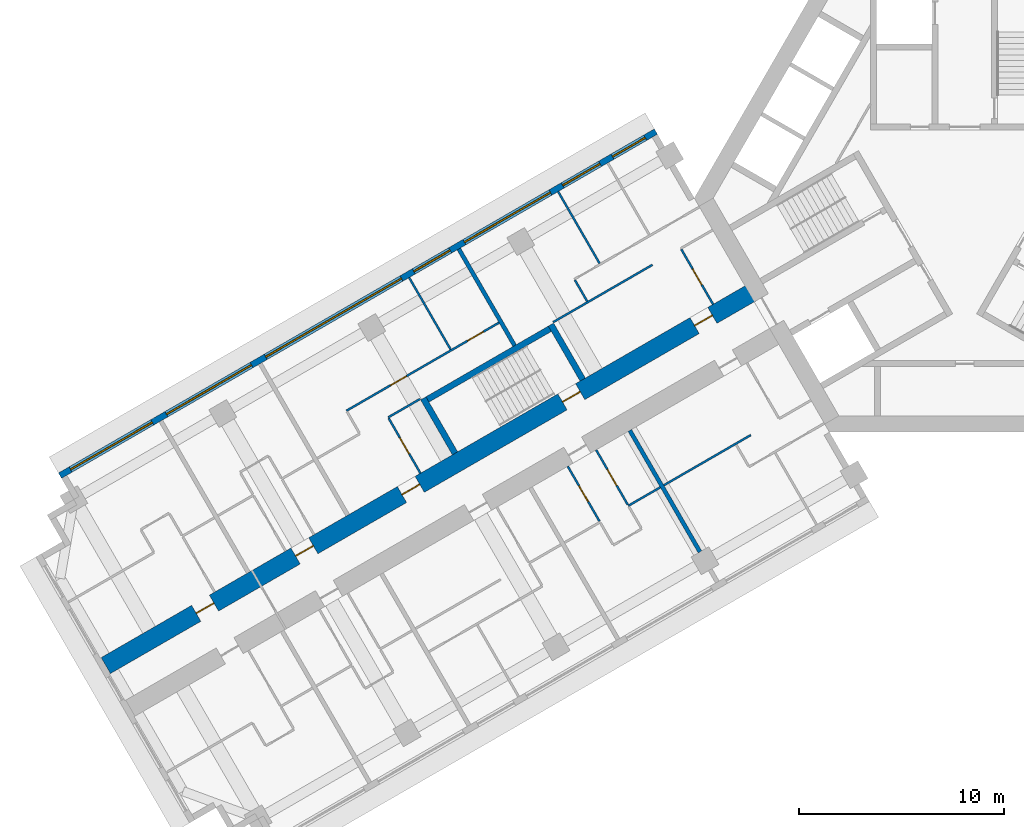
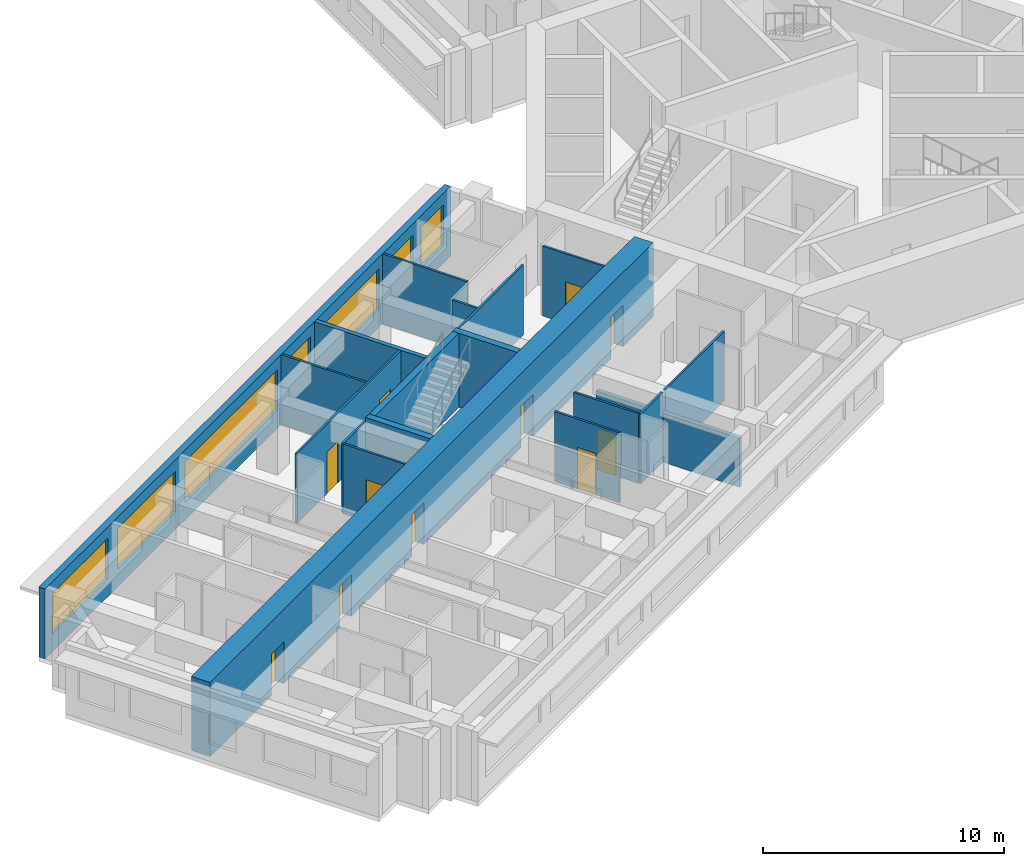
# One storey, part 5 of 15: 19 walls, 11 doors, 7 windows, 18 openings.
"""IFC4 building model written with IfcOpenShell, lengths in metres."""

from ifc_helpers import new_model, si_unit, direction, frame, frame_2d, origin, place, context, subcontext, project, spatial, rectangle, extrude, material, layer, layer_set, type_object, element, fill, save


model = new_model("IFC4")

# Units and contexts
model_context = context("Model", 3, precision=1e-05, world=origin(), true_north=direction((0.0, 1.0)))
body_context = subcontext(model_context, "Body", "Model", "MODEL_VIEW")
ifc_project = project(units=[si_unit("LENGTHUNIT", "METRE"), si_unit("AREAUNIT", "SQUARE_METRE"), si_unit("VOLUMEUNIT", "CUBIC_METRE"), si_unit("PLANEANGLEUNIT", "RADIAN"), si_unit("MASSUNIT", "GRAM", prefix="KILO")], contexts=[model_context])

# Site, building, storey
site_placement = place(None, origin())
site = spatial("IfcSite", under=ifc_project, at=site_placement, CompositionType="ELEMENT")
building_placement = place(site_placement, origin())
building = spatial("IfcBuilding", under=site, at=building_placement, Name="Impinga Residences", CompositionType="ELEMENT")
storey_placement = place(building_placement, frame((0.0, 0.0, 109.75)))
storey = spatial("IfcBuildingStorey", under=building, at=storey_placement, Name="L26", CompositionType="ELEMENT", Elevation=109.75)

# Wall, openings, doors
ifc_material_1 = material(Name="Concrete C60/75", Category="concrete")
ifc_layer_1 = layer(ifc_material_1, 0.89990234375)
ifc_layer_set_1 = layer_set([ifc_layer_1], Name="Concrete C60/75")
wall_type_1 = type_object("IfcWallType", Name="BW2 corridor buttress wall, L24 to L44 900", PredefinedType="SHEAR", material=ifc_layer_set_1)
wall_1_placement = place(storey_placement, frame((-10.153564453125, -4.4765625, 0.0), z_axis=(0.0, 0.0, 1.0), x_axis=(-0.866027614434, -0.499996171023, 0.0)))
wall_1 = element("IfcWall", 1, at=wall_1_placement, inside=storey, type_object=wall_type_1, Name="Corridor wall BW2 WD L26", PredefinedType="SHEAR", context=body_context, shape_type="SweptSolid", body=[
    extrude(rectangle(XDim=36.699951171875, YDim=0.89990234375, at=frame_2d((18.35009765625, 0.0))), origin(), (0.0, 0.0, 1.0), 3.75),
])
opening_1_placement = place(wall_1_placement, frame((9.949951171875, 0.0, 0.0)))
opening_1 = element("IfcOpeningElement", 2, at=opening_1_placement, cuts=wall_1, Name="Opening D5", PredefinedType="OPENING", context=body_context, shape_type="SweptSolid", body=[
    extrude(rectangle(XDim=1.0, YDim=2.10009765625, at=frame_2d((0.5, 1.050048828125))), frame((0.0, 0.4599609375, 0.0), z_axis=(0.0, -1.0, 0.0), x_axis=(1.0, 0.0, 0.0)), (0.0, 0.0, 1.0), 0.919921875),
])
opening_2_placement = place(wall_1_placement, frame((2.5, 0.0, 0.0)))
opening_2 = element("IfcOpeningElement", 3, at=opening_2_placement, cuts=wall_1, Name="Opening D1", PredefinedType="OPENING", context=body_context, shape_type="SweptSolid", body=[
    extrude(rectangle(XDim=1.0, YDim=2.10009765625, at=frame_2d((0.5, 1.050048828125))), frame((0.0, 0.4599609375, 0.0), z_axis=(0.0, -1.0, 0.0), x_axis=(1.0, 0.0, 0.0)), (0.0, 0.0, 1.0), 0.919921875),
])
opening_3_placement = place(wall_1_placement, frame((19.0, 0.0, 0.0)))
opening_3 = element("IfcOpeningElement", 4, at=opening_3_placement, cuts=wall_1, Name="Opening D1", PredefinedType="OPENING", context=body_context, shape_type="SweptSolid", body=[
    extrude(rectangle(XDim=1.0, YDim=2.10009765625, at=frame_2d((0.5, 1.050048828125))), frame((0.0, 0.4599609375, 0.0), z_axis=(0.0, -1.0, 0.0), x_axis=(1.0, 0.0, 0.0)), (0.0, 0.0, 1.0), 0.919921875),
])
opening_4_placement = place(wall_1_placement, frame((25.0, 0.0, 0.0)))
opening_4 = element("IfcOpeningElement", 5, at=opening_4_placement, cuts=wall_1, Name="Opening D1", PredefinedType="OPENING", context=body_context, shape_type="SweptSolid", body=[
    extrude(rectangle(XDim=1.0, YDim=2.10009765625, at=frame_2d((0.5, 1.050048828125))), frame((0.0, 0.4599609375, 0.0), z_axis=(0.0, -1.0, 0.0), x_axis=(1.0, 0.0, 0.0)), (0.0, 0.0, 1.0), 0.919921875),
])
opening_5_placement = place(wall_1_placement, frame((30.60009765625, 0.0, 0.0)))
opening_5 = element("IfcOpeningElement", 6, at=opening_5_placement, cuts=wall_1, Name="Opening D1", PredefinedType="OPENING", context=body_context, shape_type="SweptSolid", body=[
    extrude(rectangle(XDim=1.0, YDim=2.10009765625, at=frame_2d((0.5, 1.050048828125))), frame((0.0, 0.4599609375, 0.0), z_axis=(0.0, -1.0, 0.0), x_axis=(1.0, 0.0, 0.0)), (0.0, 0.0, 1.0), 0.919921875),
])
ifc_material_2 = material(Name="Timber door set", Category="wood")
door_type_1 = type_object("IfcDoorType", Name="D1 apartment entrance door 1000x2100", OperationType="SINGLE_SWING_LEFT", PredefinedType="DOOR", material=ifc_material_2)
door_1_placement = place(opening_2_placement, origin())
door_1 = element("IfcDoor", 7, at=door_1_placement, inside=storey, type_object=door_type_1, Name="Apartment L26-WF1 entrance", OperationType="SINGLE_SWING_LEFT", OverallHeight=2.10009765625, OverallWidth=1.0, PredefinedType="DOOR", context=body_context, shape_type="SweptSolid", body=[
    extrude(rectangle(XDim=1.0, YDim=2.10009765625, at=frame_2d((0.5, 1.050048828125))), frame((0.0, 0.02490234375, 0.0), z_axis=(0.0, -1.0, 0.0), x_axis=(1.0, 0.0, 0.0)), (0.0, 0.0, 1.0), 0.050048828125),
])
fill(opening_2, door_1)
door_2_placement = place(opening_3_placement, origin())
door_2 = element("IfcDoor", 8, at=door_2_placement, inside=storey, type_object=door_type_1, Name="Apartment L26-WF2 entrance", OperationType="SINGLE_SWING_RIGHT", OverallHeight=2.10009765625, OverallWidth=1.0, PredefinedType="DOOR", context=body_context, shape_type="SweptSolid", body=[
    extrude(rectangle(XDim=1.0, YDim=2.10009765625, at=frame_2d((0.5, 1.050048828125))), frame((0.0, 0.02490234375, 0.0), z_axis=(0.0, -1.0, 0.0), x_axis=(1.0, 0.0, 0.0)), (0.0, 0.0, 1.0), 0.050048828125),
])
fill(opening_3, door_2)
door_3_placement = place(opening_4_placement, origin())
door_3 = element("IfcDoor", 9, at=door_3_placement, inside=storey, type_object=door_type_1, Name="Apartment L26-WF3 entrance", OperationType="SINGLE_SWING_RIGHT", OverallHeight=2.10009765625, OverallWidth=1.0, PredefinedType="DOOR", context=body_context, shape_type="SweptSolid", body=[
    extrude(rectangle(XDim=1.0, YDim=2.10009765625, at=frame_2d((0.5, 1.050048828125))), frame((0.0, 0.02490234375, 0.0), z_axis=(0.0, -1.0, 0.0), x_axis=(1.0, 0.0, 0.0)), (0.0, 0.0, 1.0), 0.050048828125),
])
fill(opening_4, door_3)
door_4_placement = place(opening_5_placement, origin())
door_4 = element("IfcDoor", 10, at=door_4_placement, inside=storey, type_object=door_type_1, Name="Apartment L26-WF4 entrance", OperationType="SINGLE_SWING_RIGHT", OverallHeight=2.10009765625, OverallWidth=1.0, PredefinedType="DOOR", context=body_context, shape_type="SweptSolid", body=[
    extrude(rectangle(XDim=1.0, YDim=2.10009765625, at=frame_2d((0.5, 1.050048828125))), frame((0.0, 0.02490234375, 0.0), z_axis=(0.0, -1.0, 0.0), x_axis=(1.0, 0.0, 0.0)), (0.0, 0.0, 1.0), 0.050048828125),
])
fill(opening_5, door_4)
door_type_2 = type_object("IfcDoorType", Name="D5 stair door 1000x2100", OperationType="SINGLE_SWING_LEFT", PredefinedType="DOOR", material=ifc_material_2)
door_5_placement = place(opening_1_placement, origin())
door_5 = element("IfcDoor", 11, at=door_5_placement, inside=storey, type_object=door_type_2, Name="Wing stair door W", OperationType="SINGLE_SWING_LEFT", OverallHeight=2.10009765625, OverallWidth=1.0, PredefinedType="DOOR", context=body_context, shape_type="SweptSolid", body=[
    extrude(rectangle(XDim=1.0, YDim=2.10009765625, at=frame_2d((0.5, 1.050048828125))), frame((0.0, 0.02490234375, 0.0), z_axis=(0.0, -1.0, 0.0), x_axis=(1.0, 0.0, 0.0)), (0.0, 0.0, 1.0), 0.050048828125),
])
fill(opening_1, door_5)

# Wall, openings, windows
ifc_material_3 = material(Name="Terracotta rainscreen on blockwork", Category="masonry")
ifc_layer_2 = layer(ifc_material_3, 0.300048828125)
ifc_layer_set_2 = layer_set([ifc_layer_2], Name="EW1 external wall, terracotta rainscreen on blockwork 300")
wall_type_2 = type_object("IfcWallType", Name="EW1 external wall, terracotta rainscreen on blockwork 300", PredefinedType="SOLIDWALL", material=ifc_layer_set_2)
wall_2_placement = place(storey_placement, frame((-44.17333984375, -13.552490234375, 0.0), z_axis=(0.0, 0.0, 1.0), x_axis=(0.866024291668, 0.500001926238, 0.0)))
wall_2 = element("IfcWall", 12, at=wall_2_placement, inside=storey, type_object=wall_type_2, Name="External wall EW1 L26", PredefinedType="SOLIDWALL", context=body_context, shape_type="SweptSolid", body=[
    extrude(rectangle(XDim=33.599853515625, YDim=0.300048828125, at=frame_2d((16.7998046875, 0.0))), origin(), (0.0, 0.0, 1.0), 3.530029296875),
])
opening_6_placement = place(wall_2_placement, frame((0.60009765625, 0.0, 0.89990234375)))
opening_6 = element("IfcOpeningElement", 13, at=opening_6_placement, cuts=wall_2, Name="Opening W3", PredefinedType="OPENING", context=body_context, shape_type="SweptSolid", body=[
    extrude(rectangle(XDim=4.60009765625, YDim=2.050048828125, at=frame_2d((2.300048828125, 1.02490234375))), frame((0.0, 0.159912109375, 0.0), z_axis=(0.0, -1.0, 0.0), x_axis=(1.0, 0.0, 0.0)), (0.0, 0.0, 1.0), 0.320068359375),
])
opening_7_placement = place(wall_2_placement, frame((6.0, 0.0, 0.89990234375)))
opening_7 = element("IfcOpeningElement", 14, at=opening_7_placement, cuts=wall_2, Name="Opening W8", PredefinedType="OPENING", context=body_context, shape_type="SweptSolid", body=[
    extrude(rectangle(XDim=4.800048828125, YDim=2.050048828125, at=frame_2d((2.39990234375, 1.02490234375))), frame((0.0, 0.159912109375, 0.0), z_axis=(0.0, -1.0, 0.0), x_axis=(1.0, 0.0, 0.0)), (0.0, 0.0, 1.0), 0.320068359375),
])
opening_8_placement = place(wall_2_placement, frame((11.60009765625, 0.0, 0.89990234375)))
opening_8 = element("IfcOpeningElement", 15, at=opening_8_placement, cuts=wall_2, Name="Opening W13", PredefinedType="OPENING", context=body_context, shape_type="SweptSolid", body=[
    extrude(rectangle(XDim=7.64990234375, YDim=2.050048828125, at=frame_2d((3.824951171875, 1.02490234375))), frame((0.0, 0.159912109375, 0.0), z_axis=(0.0, -1.0, 0.0), x_axis=(1.0, 0.0, 0.0)), (0.0, 0.0, 1.0), 0.320068359375),
])
opening_9_placement = place(wall_2_placement, frame((19.949951171875, 0.0, 0.89990234375)))
opening_9 = element("IfcOpeningElement", 16, at=opening_9_placement, cuts=wall_2, Name="Opening W14", PredefinedType="OPENING", context=body_context, shape_type="SweptSolid", body=[
    extrude(rectangle(XDim=2.050048828125, YDim=2.050048828125, at=frame_2d((1.02490234375, 1.02490234375))), frame((0.0, 0.159912109375, 0.0), z_axis=(0.0, -1.0, 0.0), x_axis=(1.0, 0.0, 0.0)), (0.0, 0.0, 1.0), 0.320068359375),
])
opening_10_placement = place(wall_2_placement, frame((22.800048828125, 0.0, 0.89990234375)))
opening_10 = element("IfcOpeningElement", 17, at=opening_10_placement, cuts=wall_2, Name="Opening W6", PredefinedType="OPENING", context=body_context, shape_type="SweptSolid", body=[
    extrude(rectangle(XDim=4.85009765625, YDim=2.050048828125, at=frame_2d((2.425048828125, 1.02490234375))), frame((0.0, 0.159912109375, 0.0), z_axis=(0.0, -1.0, 0.0), x_axis=(1.0, 0.0, 0.0)), (0.0, 0.0, 1.0), 0.320068359375),
])
opening_11_placement = place(wall_2_placement, frame((28.35009765625, 0.0, 0.89990234375)))
opening_11 = element("IfcOpeningElement", 18, at=opening_11_placement, cuts=wall_2, Name="Opening W9", PredefinedType="OPENING", context=body_context, shape_type="SweptSolid", body=[
    extrude(rectangle(XDim=2.10009765625, YDim=2.050048828125, at=frame_2d((1.050048828125, 1.02490234375))), frame((0.0, 0.159912109375, 0.0), z_axis=(0.0, -1.0, 0.0), x_axis=(1.0, 0.0, 0.0)), (0.0, 0.0, 1.0), 0.320068359375),
])
opening_12_placement = place(wall_2_placement, frame((31.14990234375, 0.0, 0.89990234375)))
opening_12 = element("IfcOpeningElement", 19, at=opening_12_placement, cuts=wall_2, Name="Opening W15", PredefinedType="OPENING", context=body_context, shape_type="SweptSolid", body=[
    extrude(rectangle(XDim=1.85009765625, YDim=2.050048828125, at=frame_2d((0.925048828125, 1.02490234375))), frame((0.0, 0.159912109375, 0.0), z_axis=(0.0, -1.0, 0.0), x_axis=(1.0, 0.0, 0.0)), (0.0, 0.0, 1.0), 0.320068359375),
])
ifc_material_4 = material(Name="Aluminium window, clear double glazing", Category="aluminium")
window_type_1 = type_object("IfcWindowType", Name="W13 ribbon window 7650x2050", PartitioningType="SINGLE_PANEL", PredefinedType="WINDOW", material=ifc_material_4)
window_1_placement = place(opening_8_placement, origin())
window_1 = element("IfcWindow", 20, at=window_1_placement, inside=storey, type_object=window_type_1, Name="Window L26", OverallHeight=2.050048828125, OverallWidth=7.64990234375, PartitioningType="SINGLE_PANEL", PredefinedType="WINDOW", context=body_context, shape_type="SweptSolid", body=[
    extrude(rectangle(XDim=7.64990234375, YDim=2.050048828125, at=frame_2d((3.824951171875, 1.02490234375))), frame((0.0, 0.030029296875, 0.0), z_axis=(0.0, -1.0, 0.0), x_axis=(1.0, 0.0, 0.0)), (0.0, 0.0, 1.0), 0.06005859375),
])
fill(opening_8, window_1)
window_type_2 = type_object("IfcWindowType", Name="W14 ribbon window 2050x2050", PartitioningType="SINGLE_PANEL", PredefinedType="WINDOW", material=ifc_material_4)
window_2_placement = place(opening_9_placement, origin())
window_2 = element("IfcWindow", 21, at=window_2_placement, inside=storey, type_object=window_type_2, Name="Window L26", OverallHeight=2.050048828125, OverallWidth=2.050048828125, PartitioningType="SINGLE_PANEL", PredefinedType="WINDOW", context=body_context, shape_type="SweptSolid", body=[
    extrude(rectangle(XDim=2.050048828125, YDim=2.050048828125, at=frame_2d((1.02490234375, 1.02490234375))), frame((0.0, 0.030029296875, 0.0), z_axis=(0.0, -1.0, 0.0), x_axis=(1.0, 0.0, 0.0)), (0.0, 0.0, 1.0), 0.06005859375),
])
fill(opening_9, window_2)
window_type_3 = type_object("IfcWindowType", Name="W15 ribbon window 1850x2050", PartitioningType="SINGLE_PANEL", PredefinedType="WINDOW", material=ifc_material_4)
window_3_placement = place(opening_12_placement, origin())
window_3 = element("IfcWindow", 22, at=window_3_placement, inside=storey, type_object=window_type_3, Name="Window L26", OverallHeight=2.050048828125, OverallWidth=1.85009765625, PartitioningType="SINGLE_PANEL", PredefinedType="WINDOW", context=body_context, shape_type="SweptSolid", body=[
    extrude(rectangle(XDim=1.85009765625, YDim=2.050048828125, at=frame_2d((0.925048828125, 1.02490234375))), frame((0.0, 0.030029296875, 0.0), z_axis=(0.0, -1.0, 0.0), x_axis=(1.0, 0.0, 0.0)), (0.0, 0.0, 1.0), 0.06005859375),
])
fill(opening_12, window_3)
window_type_4 = type_object("IfcWindowType", Name="W3 ribbon window 4600x2050", PartitioningType="SINGLE_PANEL", PredefinedType="WINDOW", material=ifc_material_4)
window_4_placement = place(opening_6_placement, origin())
window_4 = element("IfcWindow", 23, at=window_4_placement, inside=storey, type_object=window_type_4, Name="Window L26", OverallHeight=2.050048828125, OverallWidth=4.60009765625, PartitioningType="SINGLE_PANEL", PredefinedType="WINDOW", context=body_context, shape_type="SweptSolid", body=[
    extrude(rectangle(XDim=4.60009765625, YDim=2.050048828125, at=frame_2d((2.300048828125, 1.02490234375))), frame((0.0, 0.030029296875, 0.0), z_axis=(0.0, -1.0, 0.0), x_axis=(1.0, 0.0, 0.0)), (0.0, 0.0, 1.0), 0.06005859375),
])
fill(opening_6, window_4)
window_type_5 = type_object("IfcWindowType", Name="W6 ribbon window 4850x2050", PartitioningType="SINGLE_PANEL", PredefinedType="WINDOW", material=ifc_material_4)
window_5_placement = place(opening_10_placement, origin())
window_5 = element("IfcWindow", 24, at=window_5_placement, inside=storey, type_object=window_type_5, Name="Window L26", OverallHeight=2.050048828125, OverallWidth=4.85009765625, PartitioningType="SINGLE_PANEL", PredefinedType="WINDOW", context=body_context, shape_type="SweptSolid", body=[
    extrude(rectangle(XDim=4.85009765625, YDim=2.050048828125, at=frame_2d((2.425048828125, 1.02490234375))), frame((0.0, 0.030029296875, 0.0), z_axis=(0.0, -1.0, 0.0), x_axis=(1.0, 0.0, 0.0)), (0.0, 0.0, 1.0), 0.06005859375),
])
fill(opening_10, window_5)
window_type_6 = type_object("IfcWindowType", Name="W8 ribbon window 4800x2050", PartitioningType="SINGLE_PANEL", PredefinedType="WINDOW", material=ifc_material_4)
window_6_placement = place(opening_7_placement, origin())
window_6 = element("IfcWindow", 25, at=window_6_placement, inside=storey, type_object=window_type_6, Name="Window L26", OverallHeight=2.050048828125, OverallWidth=4.800048828125, PartitioningType="SINGLE_PANEL", PredefinedType="WINDOW", context=body_context, shape_type="SweptSolid", body=[
    extrude(rectangle(XDim=4.800048828125, YDim=2.050048828125, at=frame_2d((2.39990234375, 1.02490234375))), frame((0.0, 0.030029296875, 0.0), z_axis=(0.0, -1.0, 0.0), x_axis=(1.0, 0.0, 0.0)), (0.0, 0.0, 1.0), 0.06005859375),
])
fill(opening_7, window_6)
window_type_7 = type_object("IfcWindowType", Name="W9 ribbon window 2100x2050", PartitioningType="SINGLE_PANEL", PredefinedType="WINDOW", material=ifc_material_4)
window_7_placement = place(opening_11_placement, origin())
window_7 = element("IfcWindow", 26, at=window_7_placement, inside=storey, type_object=window_type_7, Name="Window L26", OverallHeight=2.050048828125, OverallWidth=2.10009765625, PartitioningType="SINGLE_PANEL", PredefinedType="WINDOW", context=body_context, shape_type="SweptSolid", body=[
    extrude(rectangle(XDim=2.10009765625, YDim=2.050048828125, at=frame_2d((1.050048828125, 1.02490234375))), frame((0.0, 0.030029296875, 0.0), z_axis=(0.0, -1.0, 0.0), x_axis=(1.0, 0.0, 0.0)), (0.0, 0.0, 1.0), 0.06005859375),
])
fill(opening_11, window_7)

# Walls
ifc_material_5 = material(Name="Gypsum board on steel studs", Category="steel")
ifc_layer_3 = layer(ifc_material_5, 0.10009765625)
ifc_layer_set_3 = layer_set([ifc_layer_3], Name="Gypsum board on steel studs")
wall_type_3 = type_object("IfcWallType", Name="IP1 partition 100", PredefinedType="PARTITIONING", material=ifc_layer_set_3)
wall_3_placement = place(storey_placement, frame((-10.444580078125, -11.57275390625, 0.0), z_axis=(0.0, 0.0, 1.0), x_axis=(-0.866023786258, -0.500002801628, 0.0)))
element("IfcWall", 27, at=wall_3_placement, inside=storey, type_object=wall_type_3, Name="Partition L26-WA1:DIV1", PredefinedType="PARTITIONING", context=body_context, shape_type="SweptSolid", body=[
    extrude(rectangle(XDim=4.89990234375, YDim=0.10009765625, at=frame_2d((2.449951171875, 0.0))), origin(), (0.0, 0.0, 1.0), 3.530029296875),
])
wall_4_placement = place(storey_placement, frame((-14.861328125, -14.122802734375, 0.0), z_axis=(0.0, 0.0, 1.0), x_axis=(-0.866047807691, -0.499961193289, 0.0)))
element("IfcWall", 28, at=wall_4_placement, inside=storey, type_object=wall_type_3, Name="Partition L26-WA2:DIV0", PredefinedType="PARTITIONING", context=body_context, shape_type="SweptSolid", body=[
    extrude(rectangle(XDim=1.800048828125, YDim=0.10009765625, at=frame_2d((0.89990234375, 0.0))), origin(), (0.0, 0.0, 1.0), 3.530029296875),
])

# Wall, opening, door
wall_5_placement = place(storey_placement, frame((-17.9951171875, -12.294677734375, 0.0), z_axis=(0.0, 0.0, 1.0), x_axis=(0.49999285859, -0.86602952684, 0.0)))
wall_5 = element("IfcWall", 29, at=wall_5_placement, inside=storey, type_object=wall_type_3, Name="Partition L26-WA2:IB1", PredefinedType="PARTITIONING", context=body_context, shape_type="SweptSolid", body=[
    extrude(rectangle(XDim=3.10009765625, YDim=0.10009765625, at=frame_2d((1.550048828125, 0.0))), origin(), (0.0, 0.0, 1.0), 3.530029296875),
])
opening_13_placement = place(wall_5_placement, frame((1.10009765625, 0.0, 0.0)))
opening_13 = element("IfcOpeningElement", 30, at=opening_13_placement, cuts=wall_5, Name="Opening D2", PredefinedType="OPENING", context=body_context, shape_type="SweptSolid", body=[
    extrude(rectangle(XDim=0.89990234375, YDim=2.10009765625, at=frame_2d((0.449951171875, 1.050048828125))), frame((0.0, 0.06005859375, 0.0), z_axis=(0.0, -1.0, 0.0), x_axis=(1.0, 0.0, 0.0)), (0.0, 0.0, 1.0), 0.1201171875),
])
door_type_3 = type_object("IfcDoorType", Name="D2 internal door 900x2100", OperationType="SINGLE_SWING_LEFT", PredefinedType="DOOR", material=ifc_material_2)
door_6_placement = place(opening_13_placement, origin())
door_6 = element("IfcDoor", 31, at=door_6_placement, inside=storey, type_object=door_type_3, Name="Apartment L26-WA2 bathroom door", OperationType="SINGLE_SWING_LEFT", OverallHeight=2.10009765625, OverallWidth=0.89990234375, PredefinedType="DOOR", context=body_context, shape_type="SweptSolid", body=[
    extrude(rectangle(XDim=0.89990234375, YDim=2.10009765625, at=frame_2d((0.449951171875, 1.050048828125))), frame((0.0, 0.02490234375, 0.0), z_axis=(0.0, -1.0, 0.0), x_axis=(1.0, 0.0, 0.0)), (0.0, 0.0, 1.0), 0.050048828125),
])
fill(opening_13, door_6)

wall_6_placement = place(storey_placement, frame((-19.380615234375, -13.0947265625, 0.0), z_axis=(0.0, 0.0, 1.0), x_axis=(0.499967891604, -0.866043940782, 0.0)))
wall_6 = element("IfcWall", 32, at=wall_6_placement, inside=storey, type_object=wall_type_3, Name="Partition L26-WA2:IB2", PredefinedType="PARTITIONING", context=body_context, shape_type="SweptSolid", body=[
    extrude(rectangle(XDim=3.099853515625, YDim=0.10009765625, at=frame_2d((1.5498046875, 0.0))), origin(), (0.0, 0.0, 1.0), 3.530029296875),
])
opening_14_placement = place(wall_6_placement, frame((1.10009765625, 0.0, 0.0)))
opening_14 = element("IfcOpeningElement", 33, at=opening_14_placement, cuts=wall_6, Name="Opening D2", PredefinedType="OPENING", context=body_context, shape_type="SweptSolid", body=[
    extrude(rectangle(XDim=0.89990234375, YDim=2.10009765625, at=frame_2d((0.449951171875, 1.050048828125))), frame((0.0, 0.06005859375, 0.0), z_axis=(0.0, -1.0, 0.0), x_axis=(1.0, 0.0, 0.0)), (0.0, 0.0, 1.0), 0.1201171875),
])
door_7_placement = place(opening_14_placement, origin())
door_7 = element("IfcDoor", 34, at=door_7_placement, inside=storey, type_object=door_type_3, Name="Apartment L26-WA2 WC door", OperationType="SINGLE_SWING_LEFT", OverallHeight=2.10009765625, OverallWidth=0.89990234375, PredefinedType="DOOR", context=body_context, shape_type="SweptSolid", body=[
    extrude(rectangle(XDim=0.89990234375, YDim=2.10009765625, at=frame_2d((0.449951171875, 1.050048828125))), frame((0.0, 0.02490234375, 0.0), z_axis=(0.0, -1.0, 0.0), x_axis=(1.0, 0.0, 0.0)), (0.0, 0.0, 1.0), 0.050048828125),
])
fill(opening_14, door_7)

# Walls
wall_7_placement = place(storey_placement, frame((-15.244384765625, -3.2587890625, 0.0), z_axis=(0.0, 0.0, 1.0), x_axis=(-0.866026594901, -0.49999793692, 0.0)))
element("IfcWall", 35, at=wall_7_placement, inside=storey, type_object=wall_type_3, Name="Partition L26-WF1:DIV1", PredefinedType="PARTITIONING", context=body_context, shape_type="SweptSolid", body=[
    extrude(rectangle(XDim=5.60009765625, YDim=0.10009765625, at=frame_2d((2.800048828125, 0.0))), origin(), (0.0, 0.0, 1.0), 3.530029296875),
])
wall_8_placement = place(storey_placement, frame((-18.430419921875, -5.04052734375, 0.0), z_axis=(0.0, 0.0, 1.0), x_axis=(-0.500033551112, 0.866006032174, 0.0)))
element("IfcWall", 36, at=wall_8_placement, inside=storey, type_object=wall_type_3, Name="Partition L26-WF1:SE1", PredefinedType="PARTITIONING", context=body_context, shape_type="SweptSolid", body=[
    extrude(rectangle(XDim=1.2001953125, YDim=0.10009765625, at=frame_2d((0.60009765625, 0.0))), origin(), (0.0, 0.0, 1.0), 3.530029296875),
])

# Wall, opening, door
wall_9_placement = place(storey_placement, frame((-12.283935546875, -5.186767578125, 0.0), z_axis=(0.0, 0.0, 1.0), x_axis=(-0.499967891604, 0.866043940782, 0.0)))
wall_9 = element("IfcWall", 37, at=wall_9_placement, inside=storey, type_object=wall_type_3, Name="Partition L26-WF1:IB1", PredefinedType="PARTITIONING", context=body_context, shape_type="SweptSolid", body=[
    extrude(rectangle(XDim=3.099853515625, YDim=0.10009765625, at=frame_2d((1.5498046875, 0.0))), origin(), (0.0, 0.0, 1.0), 3.530029296875),
])
opening_15_placement = place(wall_9_placement, frame((1.10009765625, 0.0, 0.0)))
opening_15 = element("IfcOpeningElement", 38, at=opening_15_placement, cuts=wall_9, Name="Opening D2", PredefinedType="OPENING", context=body_context, shape_type="SweptSolid", body=[
    extrude(rectangle(XDim=0.89990234375, YDim=2.10009765625, at=frame_2d((0.449951171875, 1.050048828125))), frame((0.0, 0.06005859375, 0.0), z_axis=(0.0, -1.0, 0.0), x_axis=(1.0, 0.0, 0.0)), (0.0, 0.0, 1.0), 0.1201171875),
])
door_8_placement = place(opening_15_placement, origin())
door_8 = element("IfcDoor", 39, at=door_8_placement, inside=storey, type_object=door_type_3, Name="Apartment L26-WF1 bathroom door", OperationType="SINGLE_SWING_LEFT", OverallHeight=2.10009765625, OverallWidth=0.89990234375, PredefinedType="DOOR", context=body_context, shape_type="SweptSolid", body=[
    extrude(rectangle(XDim=0.89990234375, YDim=2.10009765625, at=frame_2d((0.449951171875, 1.050048828125))), frame((0.0, 0.02490234375, 0.0), z_axis=(0.0, -1.0, 0.0), x_axis=(1.0, 0.0, 0.0)), (0.0, 0.0, 1.0), 0.050048828125),
])
fill(opening_15, door_8)

# Walls
wall_10_placement = place(storey_placement, frame((-17.82470703125, -3.189697265625, 0.0), z_axis=(0.0, 0.0, 1.0), x_axis=(-0.500035537042, 0.866004885491, 0.0)))
element("IfcWall", 40, at=wall_10_placement, inside=storey, type_object=wall_type_3, Name="Partition L26-WF1:OB2", PredefinedType="PARTITIONING", context=body_context, shape_type="SweptSolid", body=[
    extrude(rectangle(XDim=4.050048828125, YDim=0.10009765625, at=frame_2d((2.02490234375, 0.0))), origin(), (0.0, 0.0, 1.0), 3.530029296875),
])
wall_11_placement = place(storey_placement, frame((-26.58935546875, -9.808837890625, 0.0), z_axis=(0.0, 0.0, 1.0), x_axis=(-0.866047807691, -0.499961193289, 0.0)))
element("IfcWall", 41, at=wall_11_placement, inside=storey, type_object=wall_type_3, Name="Partition L26-WF2:DIV0", PredefinedType="PARTITIONING", context=body_context, shape_type="SweptSolid", body=[
    extrude(rectangle(XDim=1.800048828125, YDim=0.10009765625, at=frame_2d((0.89990234375, 0.0))), origin(), (0.0, 0.0, 1.0), 3.530029296875),
])

# Wall, openings, doors
wall_12_placement = place(storey_placement, frame((-22.736083984375, -6.0830078125, 0.0), z_axis=(0.0, 0.0, 1.0), x_axis=(-0.866021068297, -0.500007509209, 0.0)))
wall_12 = element("IfcWall", 42, at=wall_12_placement, inside=storey, type_object=wall_type_3, Name="Partition L26-WF2:STRIP", PredefinedType="PARTITIONING", context=body_context, shape_type="SweptSolid", body=[
    extrude(rectangle(XDim=8.599853515625, YDim=0.10009765625, at=frame_2d((4.2998046875, 0.0))), origin(), (0.0, 0.0, 1.0), 3.530029296875),
])
opening_16_placement = place(wall_12_placement, frame((0.875, 0.0, 0.0)))
opening_16 = element("IfcOpeningElement", 43, at=opening_16_placement, cuts=wall_12, Name="Opening D2", PredefinedType="OPENING", context=body_context, shape_type="SweptSolid", body=[
    extrude(rectangle(XDim=0.89990234375, YDim=2.10009765625, at=frame_2d((0.449951171875, 1.050048828125))), frame((0.0, 0.06005859375, 0.0), z_axis=(0.0, -1.0, 0.0), x_axis=(1.0, 0.0, 0.0)), (0.0, 0.0, 1.0), 0.1201171875),
])
opening_17_placement = place(wall_12_placement, frame((5.22509765625, 0.0, 0.0)))
opening_17 = element("IfcOpeningElement", 44, at=opening_17_placement, cuts=wall_12, Name="Opening D2", PredefinedType="OPENING", context=body_context, shape_type="SweptSolid", body=[
    extrude(rectangle(XDim=0.89990234375, YDim=2.10009765625, at=frame_2d((0.449951171875, 1.050048828125))), frame((0.0, 0.06005859375, 0.0), z_axis=(0.0, -1.0, 0.0), x_axis=(1.0, 0.0, 0.0)), (0.0, 0.0, 1.0), 0.1201171875),
])
door_9_placement = place(opening_16_placement, origin())
door_9 = element("IfcDoor", 45, at=door_9_placement, inside=storey, type_object=door_type_3, Name="Apartment L26-WF2 room door", OperationType="SINGLE_SWING_LEFT", OverallHeight=2.10009765625, OverallWidth=0.89990234375, PredefinedType="DOOR", context=body_context, shape_type="SweptSolid", body=[
    extrude(rectangle(XDim=0.89990234375, YDim=2.10009765625, at=frame_2d((0.449951171875, 1.050048828125))), frame((0.0, 0.02490234375, 0.0), z_axis=(0.0, -1.0, 0.0), x_axis=(1.0, 0.0, 0.0)), (0.0, 0.0, 1.0), 0.050048828125),
])
fill(opening_16, door_9)
door_10_placement = place(opening_17_placement, origin())
door_10 = element("IfcDoor", 46, at=door_10_placement, inside=storey, type_object=door_type_3, Name="Apartment L26-WF2 room door", OperationType="SINGLE_SWING_RIGHT", OverallHeight=2.10009765625, OverallWidth=0.89990234375, PredefinedType="DOOR", context=body_context, shape_type="SweptSolid", body=[
    extrude(rectangle(XDim=0.89990234375, YDim=2.10009765625, at=frame_2d((0.449951171875, 1.050048828125))), frame((0.0, 0.02490234375, 0.0), z_axis=(0.0, -1.0, 0.0), x_axis=(1.0, 0.0, 0.0)), (0.0, 0.0, 1.0), 0.050048828125),
])
fill(opening_17, door_10)

# Wall, opening, door
wall_13_placement = place(storey_placement, frame((-26.5732421875, -13.436767578125, 0.0), z_axis=(0.0, 0.0, 1.0), x_axis=(-0.500026960575, 0.86600983753, 0.0)))
wall_13 = element("IfcWall", 47, at=wall_13_placement, inside=storey, type_object=wall_type_3, Name="Partition L26-WF2:IB1", PredefinedType="PARTITIONING", context=body_context, shape_type="SweptSolid", body=[
    extrude(rectangle(XDim=3.099853515625, YDim=0.10009765625, at=frame_2d((1.5498046875, 0.0))), origin(), (0.0, 0.0, 1.0), 3.530029296875),
])
opening_18_placement = place(wall_13_placement, frame((1.10009765625, 0.0, 0.0)))
opening_18 = element("IfcOpeningElement", 48, at=opening_18_placement, cuts=wall_13, Name="Opening D2", PredefinedType="OPENING", context=body_context, shape_type="SweptSolid", body=[
    extrude(rectangle(XDim=0.89990234375, YDim=2.10009765625, at=frame_2d((0.449951171875, 1.050048828125))), frame((0.0, 0.06005859375, 0.0), z_axis=(0.0, -1.0, 0.0), x_axis=(1.0, 0.0, 0.0)), (0.0, 0.0, 1.0), 0.1201171875),
])
door_11_placement = place(opening_18_placement, origin())
door_11 = element("IfcDoor", 49, at=door_11_placement, inside=storey, type_object=door_type_3, Name="Apartment L26-WF2 bathroom door", OperationType="SINGLE_SWING_LEFT", OverallHeight=2.10009765625, OverallWidth=0.89990234375, PredefinedType="DOOR", context=body_context, shape_type="SweptSolid", body=[
    extrude(rectangle(XDim=0.89990234375, YDim=2.10009765625, at=frame_2d((0.449951171875, 1.050048828125))), frame((0.0, 0.02490234375, 0.0), z_axis=(0.0, -1.0, 0.0), x_axis=(1.0, 0.0, 0.0)), (0.0, 0.0, 1.0), 0.050048828125),
])
fill(opening_18, door_11)

# Walls
wall_14_placement = place(storey_placement, frame((-25.099365234375, -7.3896484375, 0.0), z_axis=(0.0, 0.0, 1.0), x_axis=(-0.499990325971, 0.866030989016, 0.0)))
element("IfcWall", 50, at=wall_14_placement, inside=storey, type_object=wall_type_3, Name="Partition L26-WF2:OB1", PredefinedType="PARTITIONING", context=body_context, shape_type="SweptSolid", body=[
    extrude(rectangle(XDim=4.0498046875, YDim=0.10009765625, at=frame_2d((2.02490234375, 0.0))), origin(), (0.0, 0.0, 1.0), 3.530029296875),
])
ifc_material_6 = material(Name="Concrete blockwork", Category="masonry")
ifc_layer_4 = layer(ifc_material_6, 0.199951171875)
ifc_layer_set_4 = layer_set([ifc_layer_4], Name="PW1 party wall between apartments 200")
wall_type_4 = type_object("IfcWallType", Name="PW1 party wall between apartments 200", PredefinedType="SOLIDWALL", material=ifc_layer_set_4)
wall_15_placement = place(storey_placement, frame((-16.349609375, -11.3447265625, 0.0), z_axis=(0.0, 0.0, 1.0), x_axis=(0.499999086063, -0.866025931445, 0.0)))
element("IfcWall", 51, at=wall_15_placement, inside=storey, type_object=wall_type_4, Name="Party wall between apartments L26-WA1:PARTY", PredefinedType="SOLIDWALL", context=body_context, shape_type="SweptSolid", body=[
    extrude(rectangle(XDim=6.85009765625, YDim=0.199951171875, at=frame_2d((3.425048828125, 0.0))), origin(), (0.0, 0.0, 1.0), 2.47998046875),
])
wall_16_placement = place(storey_placement, frame((-21.974365234375, -7.2021484375, 0.0), z_axis=(0.0, 0.0, 1.0), x_axis=(-0.500022328685, 0.866012511928, 0.0)))
element("IfcWall", 52, at=wall_16_placement, inside=storey, type_object=wall_type_4, Name="Party wall between apartments L26-WF1:PARTY", PredefinedType="SOLIDWALL", context=body_context, shape_type="SweptSolid", body=[
    extrude(rectangle(XDim=5.449951171875, YDim=0.199951171875, at=frame_2d((2.72509765625, 0.0))), origin(), (0.0, 0.0, 1.0), 3.530029296875),
])
ifc_layer_5 = layer(ifc_material_1, 0.300048828125)
ifc_layer_set_5 = layer_set([ifc_layer_5], Name="Concrete C60/75")
wall_type_5 = type_object("IfcWallType", Name="SE1 wing stair enclosure wall 300", PredefinedType="SOLIDWALL", material=ifc_layer_set_5)
wall_17_placement = place(storey_placement, frame((-18.649169921875, -8.86181640625, 0.0), z_axis=(0.0, 0.0, 1.0), x_axis=(-0.500026960575, 0.86600983753, 0.0)))
element("IfcWall", 53, at=wall_17_placement, inside=storey, type_object=wall_type_5, Name="Stair enclosure wall SE1 W END0 L26", PredefinedType="SOLIDWALL", context=body_context, shape_type="SweptSolid", body=[
    extrude(rectangle(XDim=3.099853515625, YDim=0.300048828125, at=frame_2d((1.5498046875, 0.0))), origin(), (0.0, 0.0, 1.0), 3.75),
])
wall_18_placement = place(storey_placement, frame((-24.884521484375, -12.4619140625, 0.0), z_axis=(0.0, 0.0, 1.0), x_axis=(-0.49999285859, 0.86602952684, 0.0)))
element("IfcWall", 54, at=wall_18_placement, inside=storey, type_object=wall_type_5, Name="Stair enclosure wall SE1 W END1 L26", PredefinedType="SOLIDWALL", context=body_context, shape_type="SweptSolid", body=[
    extrude(rectangle(XDim=3.10009765625, YDim=0.300048828125, at=frame_2d((1.550048828125, 0.0))), origin(), (0.0, 0.0, 1.0), 3.75),
])
wall_19_placement = place(storey_placement, frame((-20.254150390625, -6.382080078125, 0.0), z_axis=(0.0, 0.0, 1.0), x_axis=(-0.866020008033, -0.500009345598, 0.0)))
element("IfcWall", 55, at=wall_19_placement, inside=storey, type_object=wall_type_5, Name="Stair enclosure wall SE1 W OUT L26", PredefinedType="SOLIDWALL", context=body_context, shape_type="SweptSolid", body=[
    extrude(rectangle(XDim=6.899658203125, YDim=0.300048828125, at=frame_2d((3.44970703125, 0.0))), origin(), (0.0, 0.0, 1.0), 3.75),
])

save(model, "model.ifc")
